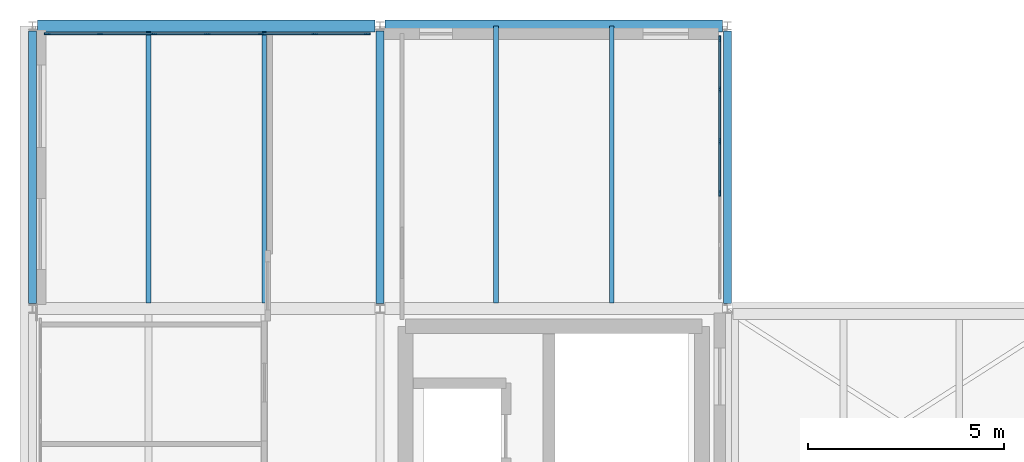
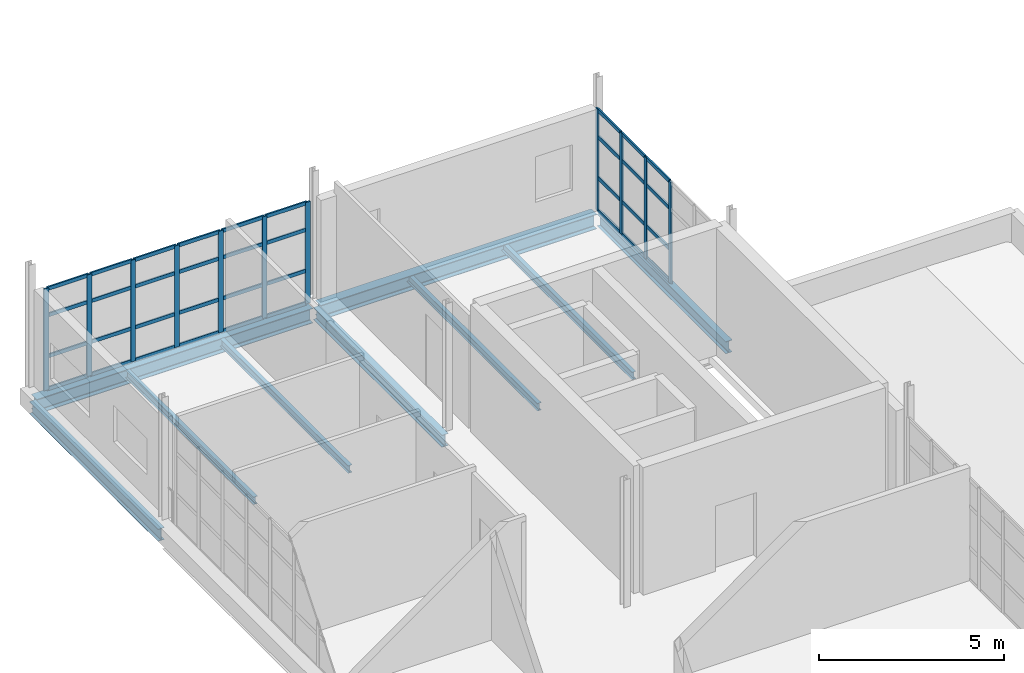
# One storey, part 8 of 16: 47 members, 9 beams, 2 elements without a shape of their own.
"""IFC4 building model written with IfcOpenShell, lengths in metres."""

from ifc_helpers import new_model, si_unit, direction, frame, origin, origin_2d, place, context, subcontext, project, spatial, rectangle, i_section, extrude, material, layer, layer_set, material_profile, profile_set, type_object, element, aggregate, save


model = new_model("IFC4")

# Units and contexts
model_context = context("Model", 3, precision=1e-05, world=origin(), true_north=direction((0.0, 1.0)))
body_context = subcontext(model_context, "Body", "Model", "MODEL_VIEW")
ifc_project = project(units=[si_unit("LENGTHUNIT", "METRE"), si_unit("AREAUNIT", "SQUARE_METRE"), si_unit("VOLUMEUNIT", "CUBIC_METRE"), si_unit("PLANEANGLEUNIT", "RADIAN"), si_unit("MASSUNIT", "GRAM", prefix="KILO")], contexts=[model_context])

# Site, building, storey
site_placement = place(None, origin())
site = spatial("IfcSite", under=ifc_project, at=site_placement, CompositionType="ELEMENT")
building_placement = place(site_placement, origin())
building = spatial("IfcBuilding", under=site, at=building_placement, Name="Yeouljin Market Hall", CompositionType="ELEMENT")
storey_placement = place(building_placement, frame((0.0, 0.0, 19.199951171875)))
storey = spatial("IfcBuildingStorey", under=building, at=storey_placement, Name="L04", CompositionType="ELEMENT", Elevation=19.199951171875)

# Beams
ifc_material_1 = material(Name="Steel SM355", Category="steel")
ifc_material_profile_1 = material_profile(ifc_material_1, i_section(OverallWidth=0.199951171875, OverallDepth=0.39990234375, WebThickness=0.008056640625, FlangeThickness=0.012939453125, FilletRadius=0.01611328125, at=origin_2d()), Name="H-400x200x8x13")
ifc_profile_set_1 = profile_set([ifc_material_profile_1], Name="Steel SM355")
beam_type_1 = type_object("IfcBeamType", Name="Beam_H-400x200x8x13", PredefinedType="BEAM", material=ifc_profile_set_1)
for number, where, z_axis, x_axis, name in (
    (1, (0.0, 28.925048828125, -0.46484375), (0.0, 1.0, 0.0), (-1.0, 0.0, 0.0), "Primary beam BM-L04-Y030"),
    (2, (8.85009765625, 28.925048828125, -0.46484375), (0.0, 1.0, 0.0), (-1.0, 0.0, 0.0), "Primary beam BM-L04-Y034"),
    (3, (17.699951171875, 28.925048828125, -0.47998046875), (0.0, 1.0, 0.0), (-1.0, 0.0, 0.0), "Primary beam BM-L04-Y038"),
):
    element("IfcBeam", number, at=place(storey_placement, frame(where, z_axis=z_axis, x_axis=x_axis)), inside=storey, type_object=beam_type_1, Name=name, PredefinedType="BEAM", context=body_context, shape_type="SweptSolid", body=[
        extrude(i_section(OverallWidth=0.199951171875, OverallDepth=0.39990234375, WebThickness=0.008056640625, FlangeThickness=0.012939453125, FilletRadius=0.01611328125, at=origin_2d()), origin(), (0.0, 0.0, 1.0), 6.949951171875),
    ])

# Curtain wall, members
ifc_material_2 = material(Name="Thermally Broken Aluminium", Category="aluminium")
ifc_layer = layer(ifc_material_2, 0.14990234375)
ifc_layer_set = layer_set([ifc_layer], Name="Thermally Broken Aluminium")
curtain_wall_type = type_object("IfcCurtainWallType", Name="CW_AcademyRibbon_System", PredefinedType="USERDEFINED", material=ifc_layer_set)
curtain_wall_1_placement = place(storey_placement, origin())
curtain_wall_1 = element("IfcCurtainWall", 4, at=curtain_wall_1_placement, inside=storey, type_object=curtain_wall_type, Name="Curtain wall CW-L04-W07", ObjectType="CURTAIN WALL", PredefinedType="USERDEFINED")
ifc_material_3 = material(Name="Thermally Broken Aluminium", Category="aluminium")
ifc_material_profile_2 = material_profile(ifc_material_3, rectangle(XDim=0.048095703125, YDim=0.14990234375, at=origin_2d()), Name="CW-MULL-48x150")
ifc_profile_set_2 = profile_set([ifc_material_profile_2], Name="Thermally Broken Aluminium")
member_type_1 = type_object("IfcMemberType", Name="CWMullion_48x150", PredefinedType="MULLION", material=ifc_profile_set_2)
member_1_placement = place(storey_placement, frame((0.3740234375, 35.800048828125, 0.0), z_axis=(0.0, 0.0, 1.0), x_axis=(0.0, 1.0, 0.0)))
member_1 = element("IfcMember", 5, at=member_1_placement, type_object=member_type_1, Name="CW-05 mullion 1", PredefinedType="MULLION", context=body_context, shape_type="SweptSolid", body=[
    extrude(rectangle(XDim=0.048095703125, YDim=0.14990234375, at=origin_2d()), origin(), (0.0, 0.0, 1.0), 3.35009765625),
])
member_2_placement = place(storey_placement, frame((1.716552734375, 35.800048828125, 0.0), z_axis=(0.0, 0.0, 1.0), x_axis=(0.0, 1.0, 0.0)))
member_2 = element("IfcMember", 6, at=member_2_placement, type_object=member_type_1, Name="CW-05 mullion 2", PredefinedType="MULLION", context=body_context, shape_type="SweptSolid", body=[
    extrude(rectangle(XDim=0.048095703125, YDim=0.14990234375, at=origin_2d()), origin(), (0.0, 0.0, 1.0), 3.35009765625),
])
member_3_placement = place(storey_placement, frame((3.083251953125, 35.800048828125, 0.0), z_axis=(0.0, 0.0, 1.0), x_axis=(0.0, 1.0, 0.0)))
member_3 = element("IfcMember", 7, at=member_3_placement, type_object=member_type_1, Name="CW-05 mullion 3", PredefinedType="MULLION", context=body_context, shape_type="SweptSolid", body=[
    extrude(rectangle(XDim=0.048095703125, YDim=0.14990234375, at=origin_2d()), origin(), (0.0, 0.0, 1.0), 3.35009765625),
])
member_4_placement = place(storey_placement, frame((4.449951171875, 35.800048828125, 0.0), z_axis=(0.0, 0.0, 1.0), x_axis=(0.0, 1.0, 0.0)))
member_4 = element("IfcMember", 8, at=member_4_placement, type_object=member_type_1, Name="CW-05 mullion 4", PredefinedType="MULLION", context=body_context, shape_type="SweptSolid", body=[
    extrude(rectangle(XDim=0.048095703125, YDim=0.14990234375, at=origin_2d()), origin(), (0.0, 0.0, 1.0), 3.35009765625),
])
member_5_placement = place(storey_placement, frame((5.816650390625, 35.800048828125, 0.0), z_axis=(0.0, 0.0, 1.0), x_axis=(0.0, 1.0, 0.0)))
member_5 = element("IfcMember", 9, at=member_5_placement, type_object=member_type_1, Name="CW-05 mullion 5", PredefinedType="MULLION", context=body_context, shape_type="SweptSolid", body=[
    extrude(rectangle(XDim=0.048095703125, YDim=0.14990234375, at=origin_2d()), origin(), (0.0, 0.0, 1.0), 3.35009765625),
])
member_6_placement = place(storey_placement, frame((7.183349609375, 35.800048828125, 0.0), z_axis=(0.0, 0.0, 1.0), x_axis=(0.0, 1.0, 0.0)))
member_6 = element("IfcMember", 10, at=member_6_placement, type_object=member_type_1, Name="CW-05 mullion 6", PredefinedType="MULLION", context=body_context, shape_type="SweptSolid", body=[
    extrude(rectangle(XDim=0.048095703125, YDim=0.14990234375, at=origin_2d()), origin(), (0.0, 0.0, 1.0), 3.35009765625),
])
member_7_placement = place(storey_placement, frame((8.52587890625, 35.800048828125, 0.0), z_axis=(0.0, 0.0, 1.0), x_axis=(0.0, 1.0, 0.0)))
member_7 = element("IfcMember", 11, at=member_7_placement, type_object=member_type_1, Name="CW-05 mullion 7", PredefinedType="MULLION", context=body_context, shape_type="SweptSolid", body=[
    extrude(rectangle(XDim=0.048095703125, YDim=0.14990234375, at=origin_2d()), origin(), (0.0, 0.0, 1.0), 3.35009765625),
])

curtain_wall_2_placement = place(storey_placement, origin())
curtain_wall_2 = element("IfcCurtainWall", 12, at=curtain_wall_2_placement, inside=storey, type_object=curtain_wall_type, Name="Curtain wall CW-L04-W09", ObjectType="CURTAIN WALL", PredefinedType="USERDEFINED")
member_8_placement = place(storey_placement, frame((17.5, 35.676025390625, 0.0), z_axis=(0.0, 0.0, 1.0), x_axis=(1.0, 0.0, 0.0)))
member_8 = element("IfcMember", 13, at=member_8_placement, type_object=member_type_1, Name="CW-05 mullion 1", PredefinedType="MULLION", context=body_context, shape_type="SweptSolid", body=[
    extrude(rectangle(XDim=0.048095703125, YDim=0.14990234375, at=origin_2d()), origin(), (0.0, 0.0, 1.0), 3.35009765625),
])
member_9_placement = place(storey_placement, frame((17.5, 34.3798828125, 0.0), z_axis=(0.0, 0.0, 1.0), x_axis=(1.0, 0.0, 0.0)))
member_9 = element("IfcMember", 14, at=member_9_placement, type_object=member_type_1, Name="CW-05 mullion 2", PredefinedType="MULLION", context=body_context, shape_type="SweptSolid", body=[
    extrude(rectangle(XDim=0.048095703125, YDim=0.14990234375, at=origin_2d()), origin(), (0.0, 0.0, 1.0), 3.35009765625),
])
member_10_placement = place(storey_placement, frame((17.5, 33.06005859375, 0.0), z_axis=(0.0, 0.0, 1.0), x_axis=(1.0, 0.0, 0.0)))
member_10 = element("IfcMember", 15, at=member_10_placement, type_object=member_type_1, Name="CW-05 mullion 3", PredefinedType="MULLION", context=body_context, shape_type="SweptSolid", body=[
    extrude(rectangle(XDim=0.048095703125, YDim=0.14990234375, at=origin_2d()), origin(), (0.0, 0.0, 1.0), 3.35009765625),
])
member_11_placement = place(storey_placement, frame((17.5, 31.739990234375, 0.0), z_axis=(0.0, 0.0, 1.0), x_axis=(1.0, 0.0, 0.0)))
member_11 = element("IfcMember", 16, at=member_11_placement, type_object=member_type_1, Name="CW-05 mullion 4", PredefinedType="MULLION", context=body_context, shape_type="SweptSolid", body=[
    extrude(rectangle(XDim=0.048095703125, YDim=0.14990234375, at=origin_2d()), origin(), (0.0, 0.0, 1.0), 3.35009765625),
])

# Member
ifc_material_4 = material(Name="Thermally Broken Aluminium", Category="aluminium")
ifc_material_profile_3 = material_profile(ifc_material_4, rectangle(XDim=0.048095703125, YDim=0.1201171875, at=origin_2d()), Name="CW-TRAN-48x120")
ifc_profile_set_3 = profile_set([ifc_material_profile_3], Name="Thermally Broken Aluminium")
member_type_2 = type_object("IfcMemberType", Name="CWTransom_48x120", PredefinedType="USERDEFINED", material=ifc_profile_set_3)
member_12_placement = place(storey_placement, frame((0.39794921875, 35.800048828125, 0.024169921875), z_axis=(1.0, 0.0, 0.0), x_axis=(0.0, 1.0, 0.0)))
member_12 = element("IfcMember", 17, at=member_12_placement, type_object=member_type_2, Name="CW-05 transom 1.1", ObjectType="TRANSOM", PredefinedType="USERDEFINED", context=body_context, shape_type="SweptSolid", body=[
    extrude(rectangle(XDim=0.048095703125, YDim=0.1201171875, at=origin_2d()), origin(), (0.0, 0.0, 1.0), 1.294677734375),
])

member_13_placement = place(storey_placement, frame((0.39794921875, 35.800048828125, 1.10009765625), z_axis=(1.0, 0.0, 0.0), x_axis=(0.0, 1.0, 0.0)))
member_13 = element("IfcMember", 18, at=member_13_placement, type_object=member_type_2, Name="CW-05 transom 1.2", ObjectType="TRANSOM", PredefinedType="USERDEFINED", context=body_context, shape_type="SweptSolid", body=[
    extrude(rectangle(XDim=0.048095703125, YDim=0.1201171875, at=origin_2d()), origin(), (0.0, 0.0, 1.0), 1.294677734375),
])

member_14_placement = place(storey_placement, frame((0.39794921875, 35.800048828125, 2.449951171875), z_axis=(1.0, 0.0, 0.0), x_axis=(0.0, 1.0, 0.0)))
member_14 = element("IfcMember", 19, at=member_14_placement, type_object=member_type_2, Name="CW-05 transom 1.3", ObjectType="TRANSOM", PredefinedType="USERDEFINED", context=body_context, shape_type="SweptSolid", body=[
    extrude(rectangle(XDim=0.048095703125, YDim=0.1201171875, at=origin_2d()), origin(), (0.0, 0.0, 1.0), 1.294677734375),
])

member_15_placement = place(storey_placement, frame((0.39794921875, 35.800048828125, 3.325927734375), z_axis=(1.0, 0.0, 0.0), x_axis=(0.0, 1.0, 0.0)))
member_15 = element("IfcMember", 20, at=member_15_placement, type_object=member_type_2, Name="CW-05 transom 1.4", ObjectType="TRANSOM", PredefinedType="USERDEFINED", context=body_context, shape_type="SweptSolid", body=[
    extrude(rectangle(XDim=0.048095703125, YDim=0.1201171875, at=origin_2d()), origin(), (0.0, 0.0, 1.0), 1.294677734375),
])

member_16_placement = place(storey_placement, frame((1.74072265625, 35.800048828125, 0.024169921875), z_axis=(1.0, 0.0, 0.0), x_axis=(0.0, 1.0, 0.0)))
member_16 = element("IfcMember", 21, at=member_16_placement, type_object=member_type_2, Name="CW-05 transom 2.1", ObjectType="TRANSOM", PredefinedType="USERDEFINED", context=body_context, shape_type="SweptSolid", body=[
    extrude(rectangle(XDim=0.048095703125, YDim=0.1201171875, at=origin_2d()), origin(), (0.0, 0.0, 1.0), 1.318603515625),
])

member_17_placement = place(storey_placement, frame((1.74072265625, 35.800048828125, 1.10009765625), z_axis=(1.0, 0.0, 0.0), x_axis=(0.0, 1.0, 0.0)))
member_17 = element("IfcMember", 22, at=member_17_placement, type_object=member_type_2, Name="CW-05 transom 2.2", ObjectType="TRANSOM", PredefinedType="USERDEFINED", context=body_context, shape_type="SweptSolid", body=[
    extrude(rectangle(XDim=0.048095703125, YDim=0.1201171875, at=origin_2d()), origin(), (0.0, 0.0, 1.0), 1.318603515625),
])

member_18_placement = place(storey_placement, frame((1.74072265625, 35.800048828125, 2.449951171875), z_axis=(1.0, 0.0, 0.0), x_axis=(0.0, 1.0, 0.0)))
member_18 = element("IfcMember", 23, at=member_18_placement, type_object=member_type_2, Name="CW-05 transom 2.3", ObjectType="TRANSOM", PredefinedType="USERDEFINED", context=body_context, shape_type="SweptSolid", body=[
    extrude(rectangle(XDim=0.048095703125, YDim=0.1201171875, at=origin_2d()), origin(), (0.0, 0.0, 1.0), 1.318603515625),
])

member_19_placement = place(storey_placement, frame((1.74072265625, 35.800048828125, 3.325927734375), z_axis=(1.0, 0.0, 0.0), x_axis=(0.0, 1.0, 0.0)))
member_19 = element("IfcMember", 24, at=member_19_placement, type_object=member_type_2, Name="CW-05 transom 2.4", ObjectType="TRANSOM", PredefinedType="USERDEFINED", context=body_context, shape_type="SweptSolid", body=[
    extrude(rectangle(XDim=0.048095703125, YDim=0.1201171875, at=origin_2d()), origin(), (0.0, 0.0, 1.0), 1.318603515625),
])

member_20_placement = place(storey_placement, frame((3.107421875, 35.800048828125, 0.024169921875), z_axis=(1.0, 0.0, 0.0), x_axis=(0.0, 1.0, 0.0)))
member_20 = element("IfcMember", 25, at=member_20_placement, type_object=member_type_2, Name="CW-05 transom 3.1", ObjectType="TRANSOM", PredefinedType="USERDEFINED", context=body_context, shape_type="SweptSolid", body=[
    extrude(rectangle(XDim=0.048095703125, YDim=0.1201171875, at=origin_2d()), origin(), (0.0, 0.0, 1.0), 1.318603515625),
])

member_21_placement = place(storey_placement, frame((3.107421875, 35.800048828125, 1.10009765625), z_axis=(1.0, 0.0, 0.0), x_axis=(0.0, 1.0, 0.0)))
member_21 = element("IfcMember", 26, at=member_21_placement, type_object=member_type_2, Name="CW-05 transom 3.2", ObjectType="TRANSOM", PredefinedType="USERDEFINED", context=body_context, shape_type="SweptSolid", body=[
    extrude(rectangle(XDim=0.048095703125, YDim=0.1201171875, at=origin_2d()), origin(), (0.0, 0.0, 1.0), 1.318603515625),
])

member_22_placement = place(storey_placement, frame((3.107421875, 35.800048828125, 2.449951171875), z_axis=(1.0, 0.0, 0.0), x_axis=(0.0, 1.0, 0.0)))
member_22 = element("IfcMember", 27, at=member_22_placement, type_object=member_type_2, Name="CW-05 transom 3.3", ObjectType="TRANSOM", PredefinedType="USERDEFINED", context=body_context, shape_type="SweptSolid", body=[
    extrude(rectangle(XDim=0.048095703125, YDim=0.1201171875, at=origin_2d()), origin(), (0.0, 0.0, 1.0), 1.318603515625),
])

member_23_placement = place(storey_placement, frame((3.107421875, 35.800048828125, 3.325927734375), z_axis=(1.0, 0.0, 0.0), x_axis=(0.0, 1.0, 0.0)))
member_23 = element("IfcMember", 28, at=member_23_placement, type_object=member_type_2, Name="CW-05 transom 3.4", ObjectType="TRANSOM", PredefinedType="USERDEFINED", context=body_context, shape_type="SweptSolid", body=[
    extrude(rectangle(XDim=0.048095703125, YDim=0.1201171875, at=origin_2d()), origin(), (0.0, 0.0, 1.0), 1.318603515625),
])

member_24_placement = place(storey_placement, frame((4.47412109375, 35.800048828125, 0.024169921875), z_axis=(1.0, 0.0, 0.0), x_axis=(0.0, 1.0, 0.0)))
member_24 = element("IfcMember", 29, at=member_24_placement, type_object=member_type_2, Name="CW-05 transom 4.1", ObjectType="TRANSOM", PredefinedType="USERDEFINED", context=body_context, shape_type="SweptSolid", body=[
    extrude(rectangle(XDim=0.048095703125, YDim=0.1201171875, at=origin_2d()), origin(), (0.0, 0.0, 1.0), 1.318603515625),
])

member_25_placement = place(storey_placement, frame((4.47412109375, 35.800048828125, 1.10009765625), z_axis=(1.0, 0.0, 0.0), x_axis=(0.0, 1.0, 0.0)))
member_25 = element("IfcMember", 30, at=member_25_placement, type_object=member_type_2, Name="CW-05 transom 4.2", ObjectType="TRANSOM", PredefinedType="USERDEFINED", context=body_context, shape_type="SweptSolid", body=[
    extrude(rectangle(XDim=0.048095703125, YDim=0.1201171875, at=origin_2d()), origin(), (0.0, 0.0, 1.0), 1.318603515625),
])

member_26_placement = place(storey_placement, frame((4.47412109375, 35.800048828125, 2.449951171875), z_axis=(1.0, 0.0, 0.0), x_axis=(0.0, 1.0, 0.0)))
member_26 = element("IfcMember", 31, at=member_26_placement, type_object=member_type_2, Name="CW-05 transom 4.3", ObjectType="TRANSOM", PredefinedType="USERDEFINED", context=body_context, shape_type="SweptSolid", body=[
    extrude(rectangle(XDim=0.048095703125, YDim=0.1201171875, at=origin_2d()), origin(), (0.0, 0.0, 1.0), 1.318603515625),
])

member_27_placement = place(storey_placement, frame((4.47412109375, 35.800048828125, 3.325927734375), z_axis=(1.0, 0.0, 0.0), x_axis=(0.0, 1.0, 0.0)))
member_27 = element("IfcMember", 32, at=member_27_placement, type_object=member_type_2, Name="CW-05 transom 4.4", ObjectType="TRANSOM", PredefinedType="USERDEFINED", context=body_context, shape_type="SweptSolid", body=[
    extrude(rectangle(XDim=0.048095703125, YDim=0.1201171875, at=origin_2d()), origin(), (0.0, 0.0, 1.0), 1.318603515625),
])

member_28_placement = place(storey_placement, frame((5.840576171875, 35.800048828125, 0.024169921875), z_axis=(1.0, 0.0, 0.0), x_axis=(0.0, 1.0, 0.0)))
member_28 = element("IfcMember", 33, at=member_28_placement, type_object=member_type_2, Name="CW-05 transom 5.1", ObjectType="TRANSOM", PredefinedType="USERDEFINED", context=body_context, shape_type="SweptSolid", body=[
    extrude(rectangle(XDim=0.048095703125, YDim=0.1201171875, at=origin_2d()), origin(), (0.0, 0.0, 1.0), 1.31884765625),
])

member_29_placement = place(storey_placement, frame((5.840576171875, 35.800048828125, 1.10009765625), z_axis=(1.0, 0.0, 0.0), x_axis=(0.0, 1.0, 0.0)))
member_29 = element("IfcMember", 34, at=member_29_placement, type_object=member_type_2, Name="CW-05 transom 5.2", ObjectType="TRANSOM", PredefinedType="USERDEFINED", context=body_context, shape_type="SweptSolid", body=[
    extrude(rectangle(XDim=0.048095703125, YDim=0.1201171875, at=origin_2d()), origin(), (0.0, 0.0, 1.0), 1.31884765625),
])

member_30_placement = place(storey_placement, frame((5.840576171875, 35.800048828125, 2.449951171875), z_axis=(1.0, 0.0, 0.0), x_axis=(0.0, 1.0, 0.0)))
member_30 = element("IfcMember", 35, at=member_30_placement, type_object=member_type_2, Name="CW-05 transom 5.3", ObjectType="TRANSOM", PredefinedType="USERDEFINED", context=body_context, shape_type="SweptSolid", body=[
    extrude(rectangle(XDim=0.048095703125, YDim=0.1201171875, at=origin_2d()), origin(), (0.0, 0.0, 1.0), 1.31884765625),
])

member_31_placement = place(storey_placement, frame((5.840576171875, 35.800048828125, 3.325927734375), z_axis=(1.0, 0.0, 0.0), x_axis=(0.0, 1.0, 0.0)))
member_31 = element("IfcMember", 36, at=member_31_placement, type_object=member_type_2, Name="CW-05 transom 5.4", ObjectType="TRANSOM", PredefinedType="USERDEFINED", context=body_context, shape_type="SweptSolid", body=[
    extrude(rectangle(XDim=0.048095703125, YDim=0.1201171875, at=origin_2d()), origin(), (0.0, 0.0, 1.0), 1.31884765625),
])

member_32_placement = place(storey_placement, frame((7.207275390625, 35.800048828125, 0.024169921875), z_axis=(1.0, 0.0, 0.0), x_axis=(0.0, 1.0, 0.0)))
member_32 = element("IfcMember", 37, at=member_32_placement, type_object=member_type_2, Name="CW-05 transom 6.1", ObjectType="TRANSOM", PredefinedType="USERDEFINED", context=body_context, shape_type="SweptSolid", body=[
    extrude(rectangle(XDim=0.048095703125, YDim=0.1201171875, at=origin_2d()), origin(), (0.0, 0.0, 1.0), 1.294677734375),
])

member_33_placement = place(storey_placement, frame((7.207275390625, 35.800048828125, 1.10009765625), z_axis=(1.0, 0.0, 0.0), x_axis=(0.0, 1.0, 0.0)))
member_33 = element("IfcMember", 38, at=member_33_placement, type_object=member_type_2, Name="CW-05 transom 6.2", ObjectType="TRANSOM", PredefinedType="USERDEFINED", context=body_context, shape_type="SweptSolid", body=[
    extrude(rectangle(XDim=0.048095703125, YDim=0.1201171875, at=origin_2d()), origin(), (0.0, 0.0, 1.0), 1.294677734375),
])

member_34_placement = place(storey_placement, frame((7.207275390625, 35.800048828125, 2.449951171875), z_axis=(1.0, 0.0, 0.0), x_axis=(0.0, 1.0, 0.0)))
member_34 = element("IfcMember", 39, at=member_34_placement, type_object=member_type_2, Name="CW-05 transom 6.3", ObjectType="TRANSOM", PredefinedType="USERDEFINED", context=body_context, shape_type="SweptSolid", body=[
    extrude(rectangle(XDim=0.048095703125, YDim=0.1201171875, at=origin_2d()), origin(), (0.0, 0.0, 1.0), 1.294677734375),
])

member_35_placement = place(storey_placement, frame((7.207275390625, 35.800048828125, 3.325927734375), z_axis=(1.0, 0.0, 0.0), x_axis=(0.0, 1.0, 0.0)))
member_35 = element("IfcMember", 40, at=member_35_placement, type_object=member_type_2, Name="CW-05 transom 6.4", ObjectType="TRANSOM", PredefinedType="USERDEFINED", context=body_context, shape_type="SweptSolid", body=[
    extrude(rectangle(XDim=0.048095703125, YDim=0.1201171875, at=origin_2d()), origin(), (0.0, 0.0, 1.0), 1.294677734375),
])

aggregate(curtain_wall_1, [member_1, member_2, member_3, member_4, member_5, member_6, member_7, member_12, member_13, member_14, member_15, member_16, member_17, member_18, member_19, member_20, member_21, member_22, member_23, member_24, member_25, member_26, member_27, member_28, member_29, member_30, member_31, member_32, member_33, member_34, member_35])

member_36_placement = place(storey_placement, frame((17.5, 35.652099609375, 0.024169921875), z_axis=(0.0, -1.0, 0.0), x_axis=(1.0, 0.0, 0.0)))
member_36 = element("IfcMember", 41, at=member_36_placement, type_object=member_type_2, Name="CW-05 transom 1.1", ObjectType="TRANSOM", PredefinedType="USERDEFINED", context=body_context, shape_type="SweptSolid", body=[
    extrude(rectangle(XDim=0.048095703125, YDim=0.1201171875, at=origin_2d()), origin(), (0.0, 0.0, 1.0), 1.248046875),
])

member_37_placement = place(storey_placement, frame((17.5, 35.652099609375, 1.10009765625), z_axis=(0.0, -1.0, 0.0), x_axis=(1.0, 0.0, 0.0)))
member_37 = element("IfcMember", 42, at=member_37_placement, type_object=member_type_2, Name="CW-05 transom 1.2", ObjectType="TRANSOM", PredefinedType="USERDEFINED", context=body_context, shape_type="SweptSolid", body=[
    extrude(rectangle(XDim=0.048095703125, YDim=0.1201171875, at=origin_2d()), origin(), (0.0, 0.0, 1.0), 1.248046875),
])

member_38_placement = place(storey_placement, frame((17.5, 35.652099609375, 2.449951171875), z_axis=(0.0, -1.0, 0.0), x_axis=(1.0, 0.0, 0.0)))
member_38 = element("IfcMember", 43, at=member_38_placement, type_object=member_type_2, Name="CW-05 transom 1.3", ObjectType="TRANSOM", PredefinedType="USERDEFINED", context=body_context, shape_type="SweptSolid", body=[
    extrude(rectangle(XDim=0.048095703125, YDim=0.1201171875, at=origin_2d()), origin(), (0.0, 0.0, 1.0), 1.248046875),
])

member_39_placement = place(storey_placement, frame((17.5, 35.652099609375, 3.325927734375), z_axis=(0.0, -1.0, 0.0), x_axis=(1.0, 0.0, 0.0)))
member_39 = element("IfcMember", 44, at=member_39_placement, type_object=member_type_2, Name="CW-05 transom 1.4", ObjectType="TRANSOM", PredefinedType="USERDEFINED", context=body_context, shape_type="SweptSolid", body=[
    extrude(rectangle(XDim=0.048095703125, YDim=0.1201171875, at=origin_2d()), origin(), (0.0, 0.0, 1.0), 1.248046875),
])

member_40_placement = place(storey_placement, frame((17.5, 34.35595703125, 0.024169921875), z_axis=(0.0, -1.0, 0.0), x_axis=(1.0, 0.0, 0.0)))
member_40 = element("IfcMember", 45, at=member_40_placement, type_object=member_type_2, Name="CW-05 transom 2.1", ObjectType="TRANSOM", PredefinedType="USERDEFINED", context=body_context, shape_type="SweptSolid", body=[
    extrude(rectangle(XDim=0.048095703125, YDim=0.1201171875, at=origin_2d()), origin(), (0.0, 0.0, 1.0), 1.27197265625),
])

member_41_placement = place(storey_placement, frame((17.5, 34.35595703125, 1.10009765625), z_axis=(0.0, -1.0, 0.0), x_axis=(1.0, 0.0, 0.0)))
member_41 = element("IfcMember", 46, at=member_41_placement, type_object=member_type_2, Name="CW-05 transom 2.2", ObjectType="TRANSOM", PredefinedType="USERDEFINED", context=body_context, shape_type="SweptSolid", body=[
    extrude(rectangle(XDim=0.048095703125, YDim=0.1201171875, at=origin_2d()), origin(), (0.0, 0.0, 1.0), 1.27197265625),
])

member_42_placement = place(storey_placement, frame((17.5, 34.35595703125, 2.449951171875), z_axis=(0.0, -1.0, 0.0), x_axis=(1.0, 0.0, 0.0)))
member_42 = element("IfcMember", 47, at=member_42_placement, type_object=member_type_2, Name="CW-05 transom 2.3", ObjectType="TRANSOM", PredefinedType="USERDEFINED", context=body_context, shape_type="SweptSolid", body=[
    extrude(rectangle(XDim=0.048095703125, YDim=0.1201171875, at=origin_2d()), origin(), (0.0, 0.0, 1.0), 1.27197265625),
])

member_43_placement = place(storey_placement, frame((17.5, 34.35595703125, 3.325927734375), z_axis=(0.0, -1.0, 0.0), x_axis=(1.0, 0.0, 0.0)))
member_43 = element("IfcMember", 48, at=member_43_placement, type_object=member_type_2, Name="CW-05 transom 2.4", ObjectType="TRANSOM", PredefinedType="USERDEFINED", context=body_context, shape_type="SweptSolid", body=[
    extrude(rectangle(XDim=0.048095703125, YDim=0.1201171875, at=origin_2d()), origin(), (0.0, 0.0, 1.0), 1.27197265625),
])

member_44_placement = place(storey_placement, frame((17.5, 33.035888671875, 0.024169921875), z_axis=(0.0, -1.0, 0.0), x_axis=(1.0, 0.0, 0.0)))
member_44 = element("IfcMember", 49, at=member_44_placement, type_object=member_type_2, Name="CW-05 transom 3.1", ObjectType="TRANSOM", PredefinedType="USERDEFINED", context=body_context, shape_type="SweptSolid", body=[
    extrude(rectangle(XDim=0.048095703125, YDim=0.1201171875, at=origin_2d()), origin(), (0.0, 0.0, 1.0), 1.27197265625),
])

member_45_placement = place(storey_placement, frame((17.5, 33.035888671875, 1.10009765625), z_axis=(0.0, -1.0, 0.0), x_axis=(1.0, 0.0, 0.0)))
member_45 = element("IfcMember", 50, at=member_45_placement, type_object=member_type_2, Name="CW-05 transom 3.2", ObjectType="TRANSOM", PredefinedType="USERDEFINED", context=body_context, shape_type="SweptSolid", body=[
    extrude(rectangle(XDim=0.048095703125, YDim=0.1201171875, at=origin_2d()), origin(), (0.0, 0.0, 1.0), 1.27197265625),
])

member_46_placement = place(storey_placement, frame((17.5, 33.035888671875, 2.449951171875), z_axis=(0.0, -1.0, 0.0), x_axis=(1.0, 0.0, 0.0)))
member_46 = element("IfcMember", 51, at=member_46_placement, type_object=member_type_2, Name="CW-05 transom 3.3", ObjectType="TRANSOM", PredefinedType="USERDEFINED", context=body_context, shape_type="SweptSolid", body=[
    extrude(rectangle(XDim=0.048095703125, YDim=0.1201171875, at=origin_2d()), origin(), (0.0, 0.0, 1.0), 1.27197265625),
])

member_47_placement = place(storey_placement, frame((17.5, 33.035888671875, 3.325927734375), z_axis=(0.0, -1.0, 0.0), x_axis=(1.0, 0.0, 0.0)))
member_47 = element("IfcMember", 52, at=member_47_placement, type_object=member_type_2, Name="CW-05 transom 3.4", ObjectType="TRANSOM", PredefinedType="USERDEFINED", context=body_context, shape_type="SweptSolid", body=[
    extrude(rectangle(XDim=0.048095703125, YDim=0.1201171875, at=origin_2d()), origin(), (0.0, 0.0, 1.0), 1.27197265625),
])

aggregate(curtain_wall_2, [member_8, member_9, member_10, member_11, member_36, member_37, member_38, member_39, member_40, member_41, member_42, member_43, member_44, member_45, member_46, member_47])

# Beams
ifc_material_5 = material(Name="Steel SM355", Category="steel")
ifc_material_profile_4 = material_profile(ifc_material_5, i_section(OverallWidth=0.300048828125, OverallDepth=0.488037109375, WebThickness=0.010986328125, FlangeThickness=0.01806640625, FilletRadius=0.02197265625, at=origin_2d()), Name="H-488x300x11x18")
ifc_profile_set_4 = profile_set([ifc_material_profile_4], Name="Steel SM355")
beam_type_2 = type_object("IfcBeamType", Name="Girder_H-488x300x11x18", PredefinedType="USERDEFINED", material=ifc_profile_set_4)
beam_1_placement = place(storey_placement, frame((0.125, 36.0, -0.509033203125), z_axis=(1.0, 0.0, 0.0), x_axis=(0.0, 1.0, 0.0)))
element("IfcBeam", 53, at=beam_1_placement, inside=storey, type_object=beam_type_2, Name="Primary girder GRD-L04-X025", ObjectType="GIRDER", PredefinedType="USERDEFINED", context=body_context, shape_type="SweptSolid", body=[
    extrude(i_section(OverallWidth=0.300048828125, OverallDepth=0.488037109375, WebThickness=0.010986328125, FlangeThickness=0.01806640625, FilletRadius=0.02197265625, at=origin_2d()), origin(), (0.0, 0.0, 1.0), 8.60009765625),
])
beam_2_placement = place(storey_placement, frame((8.97509765625, 36.0, -0.509033203125), z_axis=(1.0, 0.0, 0.0), x_axis=(0.0, 1.0, 0.0)))
element("IfcBeam", 54, at=beam_2_placement, inside=storey, type_object=beam_type_2, Name="Primary girder GRD-L04-X026", ObjectType="GIRDER", PredefinedType="USERDEFINED", context=body_context, shape_type="SweptSolid", body=[
    extrude(i_section(OverallWidth=0.300048828125, OverallDepth=0.488037109375, WebThickness=0.010986328125, FlangeThickness=0.01806640625, FilletRadius=0.02197265625, at=origin_2d()), origin(), (0.0, 0.0, 1.0), 8.599853515625),
])
ifc_material_6 = material(Name="Steel SM355", Category="steel")
ifc_material_profile_5 = material_profile(ifc_material_6, i_section(OverallWidth=0.125, OverallDepth=0.25, WebThickness=0.006103515625, FlangeThickness=0.009033203125, FilletRadius=0.011962890625, at=origin_2d()), Name="H-250x125x6x9")
ifc_profile_set_5 = profile_set([ifc_material_profile_5], Name="Steel SM355")
beam_type_3 = type_object("IfcBeamType", Name="Joist_H-250x125x6x9", PredefinedType="JOIST", material=ifc_profile_set_5)
for number, where, z_axis, x_axis, name in (
    (55, (2.949951171875, 28.947021484375, -0.389892578125), (0.0, 1.0, 0.0), (-1.0, 0.0, 0.0), "Secondary floor joist L04-006"),
    (56, (5.89990234375, 28.947021484375, -0.389892578125), (0.0, 1.0, 0.0), (-1.0, 0.0, 0.0), "Secondary floor joist L04-007"),
):
    element("IfcBeam", number, at=place(storey_placement, frame(where, z_axis=z_axis, x_axis=x_axis)), inside=storey, type_object=beam_type_3, Name=name, PredefinedType="JOIST", context=body_context, shape_type="SweptSolid", body=[
        extrude(i_section(OverallWidth=0.125, OverallDepth=0.25, WebThickness=0.006103515625, FlangeThickness=0.009033203125, FilletRadius=0.011962890625, at=origin_2d()), origin(), (0.0, 0.0, 1.0), 6.906005859375),
    ])
for number, where, z_axis, x_axis, name in (
    (57, (11.800048828125, 28.947021484375, -0.405029296875), (0.0, 1.0, 0.0), (-1.0, 0.0, 0.0), "Secondary floor joist L04-012"),
    (58, (14.75, 28.947021484375, -0.405029296875), (0.0, 1.0, 0.0), (-1.0, 0.0, 0.0), "Secondary floor joist L04-013"),
):
    element("IfcBeam", number, at=place(storey_placement, frame(where, z_axis=z_axis, x_axis=x_axis)), inside=storey, type_object=beam_type_3, Name=name, PredefinedType="JOIST", context=body_context, shape_type="SweptSolid", body=[
        extrude(i_section(OverallWidth=0.125, OverallDepth=0.25, WebThickness=0.006103515625, FlangeThickness=0.009033203125, FilletRadius=0.011962890625, at=origin_2d()), origin(), (0.0, 0.0, 1.0), 7.046875),
    ])

save(model, "model.ifc")
